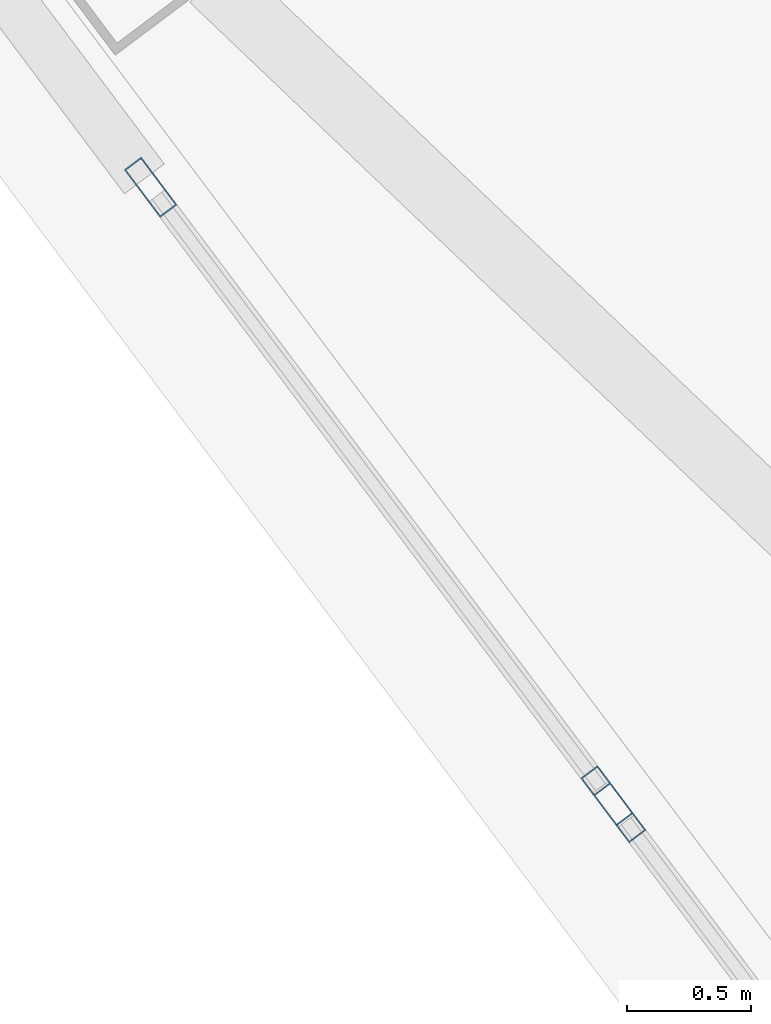
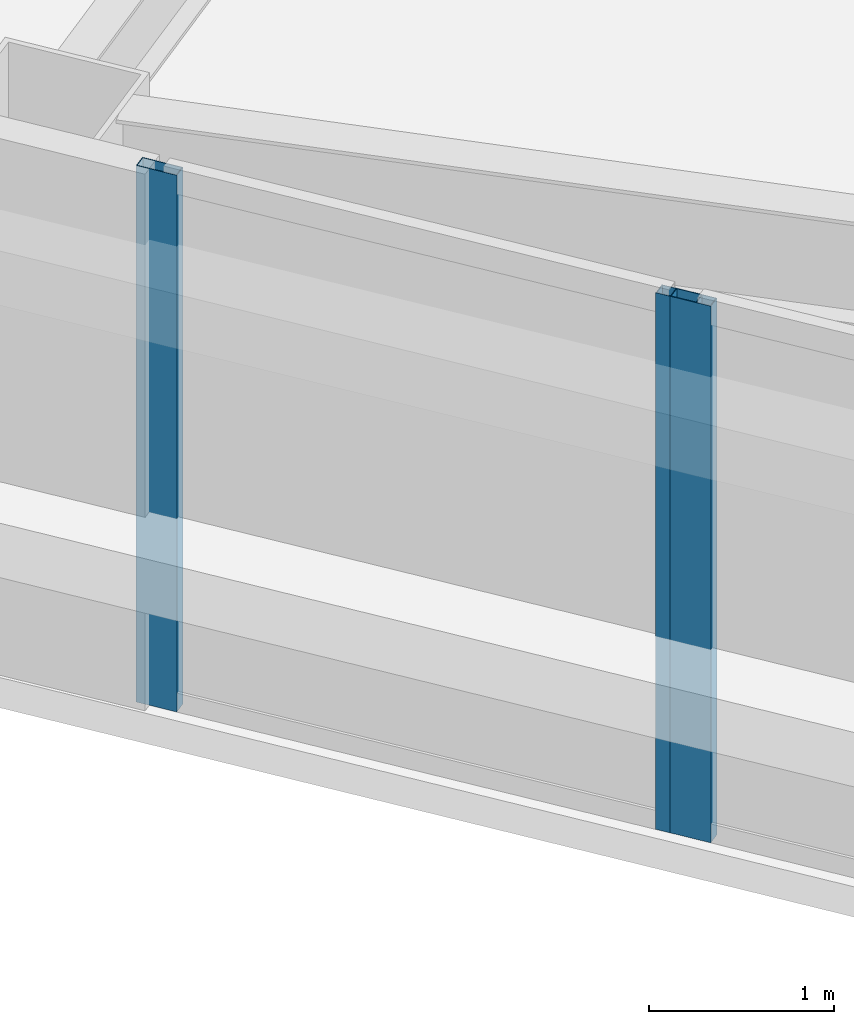
# One storey, part 21 of 62: 3 members, 2 elements without a shape of their own.
"""IFC4 building model written with IfcOpenShell, lengths in metres."""

from ifc_helpers import new_model, si_unit, direction, frame, origin, origin_2d, place, context, subcontext, project, spatial, hollow_rectangle, extrude, material, material_profile, profile_set, type_object, element, aggregate, save


model = new_model("IFC4")

# Units and contexts
model_context = context("Model", 3, precision=1e-05, world=origin(), true_north=direction((0.0, 1.0)))
body_context = subcontext(model_context, "Body", "Model", "MODEL_VIEW")
ifc_project = project(units=[si_unit("LENGTHUNIT", "METRE"), si_unit("AREAUNIT", "SQUARE_METRE"), si_unit("VOLUMEUNIT", "CUBIC_METRE"), si_unit("PLANEANGLEUNIT", "RADIAN"), si_unit("MASSUNIT", "GRAM", prefix="KILO")], contexts=[model_context])

# Site, building, storey
site_placement = place(None, origin())
site = spatial("IfcSite", under=ifc_project, at=site_placement, CompositionType="ELEMENT")
building_placement = place(site_placement, origin())
building = spatial("IfcBuilding", under=site, at=building_placement, Name="Tashvorn Skyway Center", CompositionType="ELEMENT")
storey_placement = place(building_placement, frame((0.0, 0.0, 28.14990234375)))
storey = spatial("IfcBuildingStorey", under=building, at=storey_placement, Name="L06", CompositionType="ELEMENT", Elevation=28.14990234375)

# Curtain wall, member
ifc_material = material(Name="Thermally broken bronze-anodized aluminium 6063-T6", Category="aluminium")
curtain_wall_type = type_object("IfcCurtainWallType", Name="CW-CW-Z1", PredefinedType="NOTDEFINED", material=ifc_material)
curtain_wall_1_placement = place(storey_placement, origin())
curtain_wall_1 = element("IfcCurtainWall", 1, at=curtain_wall_1_placement, inside=storey, type_object=curtain_wall_type, Name="Tower 2 L06 West Unitised Curtain Wall Glazing Group 1", PredefinedType="NOTDEFINED")
ifc_material_profile = material_profile(ifc_material, hollow_rectangle(XDim=0.0849609375, YDim=0.239990234375, WallThickness=0.0048828125, at=origin_2d()), Name="ALU-MULL-85x240")
ifc_profile_set = profile_set([ifc_material_profile], Name="Thermally broken bronze-anodized aluminium 6063-T6")
member_type = type_object("IfcMemberType", Name="CWM-CW-Z1", PredefinedType="MULLION", material=ifc_profile_set)
member_1_placement = place(storey_placement, frame((102.345458984375, 11.406005859375, 0.0), z_axis=(0.0, 0.0, 1.0), x_axis=(-0.799999999998, -0.600000000002, 0.0)))
member_1 = element("IfcMember", 2, at=member_1_placement, type_object=member_type, Name="CW-Z1 mullion 2", PredefinedType="MULLION", context=body_context, shape_type="SweptSolid", body=[
    extrude(hollow_rectangle(XDim=0.0849609375, YDim=0.239990234375, WallThickness=0.0048828125, at=origin_2d()), origin(), (0.0, 0.0, 1.0), 3.550048828125),
])
aggregate(curtain_wall_1, [member_1])

# Curtain wall, members
curtain_wall_2_placement = place(storey_placement, origin())
curtain_wall_2 = element("IfcCurtainWall", 3, at=curtain_wall_2_placement, inside=storey, type_object=curtain_wall_type, Name="Tower 2 L06 West Unitised Curtain Wall Glazing Group 2", PredefinedType="NOTDEFINED")
member_2_placement = place(storey_placement, frame((102.29443359375, 11.47412109375, 0.0), z_axis=(0.0, 0.0, 1.0), x_axis=(-0.799996186392, -0.600005084776, 0.0)))
member_2 = element("IfcMember", 4, at=member_2_placement, type_object=member_type, Name="CW-Z1 mullion 1", PredefinedType="MULLION", context=body_context, shape_type="SweptSolid", body=[
    extrude(hollow_rectangle(XDim=0.0849609375, YDim=0.239990234375, WallThickness=0.0048828125, at=origin_2d()), origin(), (0.0, 0.0, 1.0), 3.550048828125),
])
member_3_placement = place(storey_placement, frame((100.45751953125, 13.92333984375, 0.0), z_axis=(0.0, 0.0, 1.0), x_axis=(-0.799996186392, -0.600005084776, 0.0)))
member_3 = element("IfcMember", 5, at=member_3_placement, type_object=member_type, Name="CW-Z1 mullion 2", PredefinedType="MULLION", context=body_context, shape_type="SweptSolid", body=[
    extrude(hollow_rectangle(XDim=0.0849609375, YDim=0.239990234375, WallThickness=0.0048828125, at=origin_2d()), origin(), (0.0, 0.0, 1.0), 3.550048828125),
])
aggregate(curtain_wall_2, [member_2, member_3])

save(model, "model.ifc")
